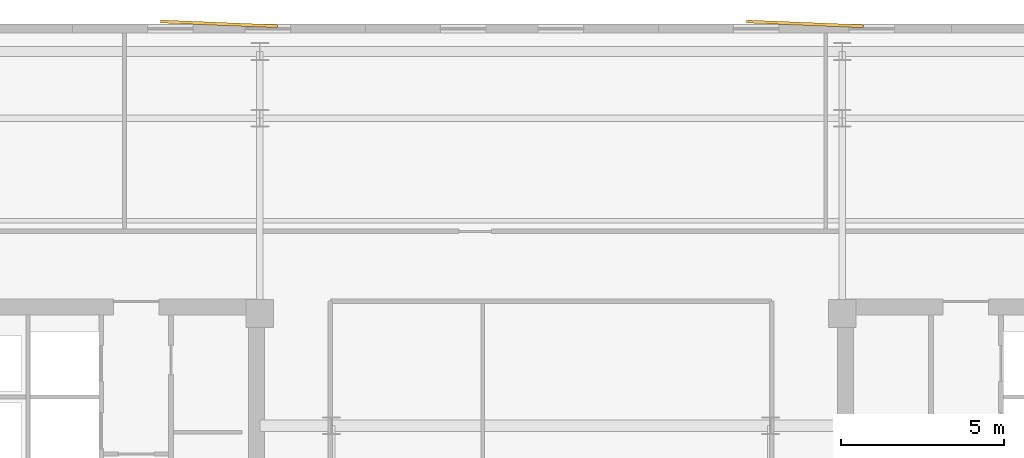
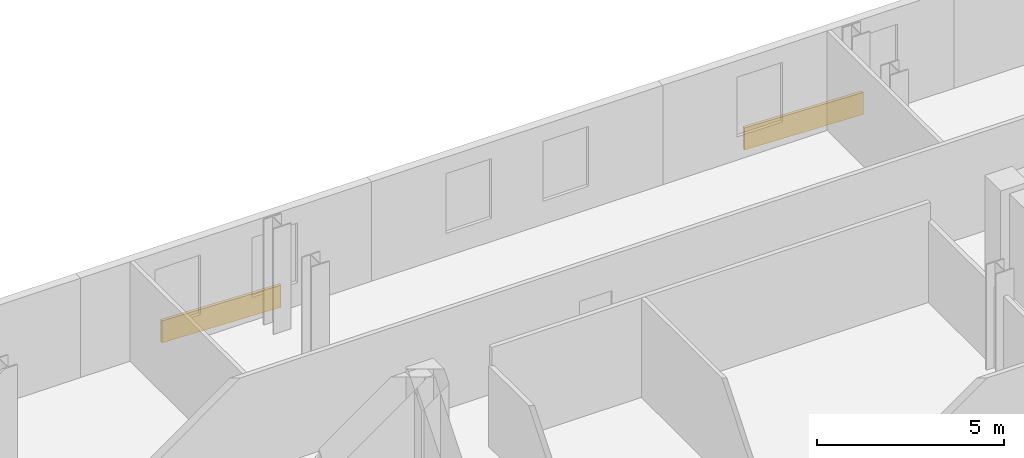
# One storey, part 9 of 9: 2 coverings.
"""IFC4 building model written with IfcOpenShell, lengths in metres."""

from ifc_helpers import new_model, si_unit, direction, frame, origin, origin_2d, place, context, subcontext, project, spatial, rectangle, extrude, material, layer, layer_set, type_object, element, save


model = new_model("IFC4")

# Units and contexts
model_context = context("Model", 3, precision=1e-05, world=origin(), true_north=direction((0.0, 1.0)))
body_context = subcontext(model_context, "Body", "Model", "MODEL_VIEW")
ifc_project = project(units=[si_unit("LENGTHUNIT", "METRE"), si_unit("AREAUNIT", "SQUARE_METRE"), si_unit("VOLUMEUNIT", "CUBIC_METRE"), si_unit("PLANEANGLEUNIT", "RADIAN"), si_unit("MASSUNIT", "GRAM", prefix="KILO")], contexts=[model_context])

# Site, building, storey
site_placement = place(None, origin())
site = spatial("IfcSite", under=ifc_project, at=site_placement, CompositionType="ELEMENT")
building_placement = place(site_placement, origin())
building = spatial("IfcBuilding", under=site, at=building_placement, Name="Velakula Bourse", CompositionType="ELEMENT")
storey_placement = place(building_placement, frame((0.0, 0.0, 215.39990234375)))
storey = spatial("IfcBuildingStorey", under=building, at=storey_placement, Name="L58", CompositionType="ELEMENT", Elevation=215.39990234375)

# Coverings
ifc_material = material(Name="Red kilned clay facing brick masonry", Category="masonry")
ifc_layer = layer(ifc_material, 0.090087890625, Name="Red kilned clay facing brick masonry", Category="masonry")
ifc_layer_set = layer_set([ifc_layer], Name="Red kilned clay facing brick masonry")
covering_type = type_object("IfcCoveringType", Name="COV-BRK-FOLD-90", PredefinedType="CLADDING", material=ifc_layer_set)
for number, where, z_axis, x_axis, name in (
    (1, (-10.199951171875, 17.5, 0.0), (0.0, 0.0, 1.0), (0.999158993058, -0.041003738744, 0.0), "L58 Folded Brick Facade Cladding Panel N-B2"),
    (2, (7.800048828125, 17.5, 0.0), (0.0, 0.0, 1.0), (0.999158993058, -0.041003738744, 0.0), "L58 Folded Brick Facade Cladding Panel N-B4"),
):
    element("IfcCovering", number, at=place(storey_placement, frame(where, z_axis=z_axis, x_axis=x_axis)), inside=storey, type_object=covering_type, Name=name, PredefinedType="CLADDING", context=body_context, shape_type="SweptSolid", body=[
        extrude(rectangle(XDim=3.60009765625, YDim=0.090087890625, at=origin_2d()), origin(), (0.0, 0.0, 1.0), 0.719970703125),
    ])

save(model, "model.ifc")
